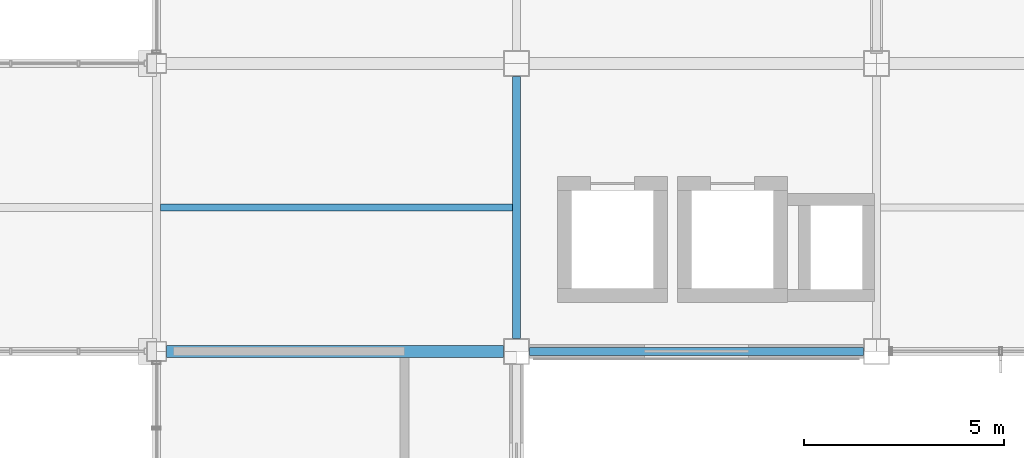
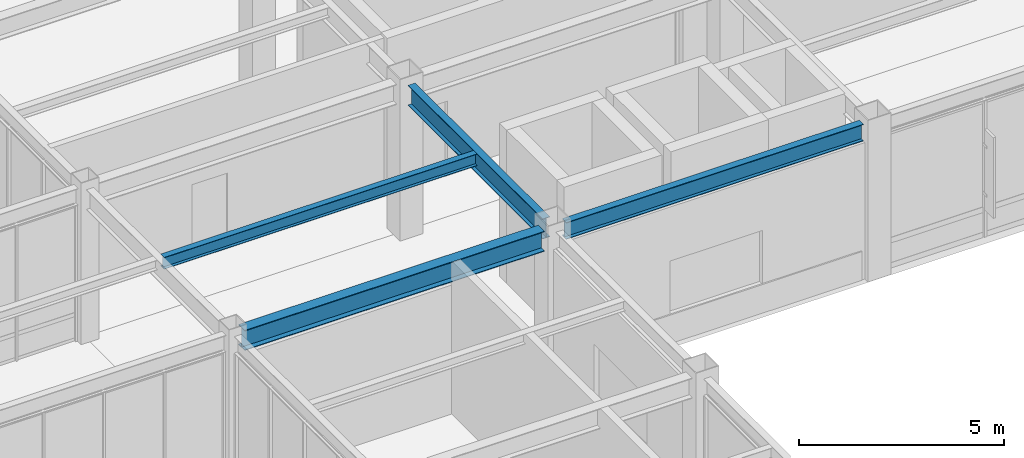
# One storey, part 51 of 112: 4 beams.
"""IFC4 building model written with IfcOpenShell, lengths in metres."""

from ifc_helpers import new_model, si_unit, direction, frame, origin, origin_2d, place, context, subcontext, project, spatial, i_section, extrude, material, material_profile, profile_set, type_object, element, save


model = new_model("IFC4")

# Units and contexts
model_context = context("Model", 3, precision=1e-05, world=origin(), true_north=direction((0.0, 1.0)))
body_context = subcontext(model_context, "Body", "Model", "MODEL_VIEW")
ifc_project = project(units=[si_unit("LENGTHUNIT", "METRE"), si_unit("AREAUNIT", "SQUARE_METRE"), si_unit("VOLUMEUNIT", "CUBIC_METRE"), si_unit("PLANEANGLEUNIT", "RADIAN"), si_unit("MASSUNIT", "GRAM", prefix="KILO")], contexts=[model_context])

# Site, building, storey
site_placement = place(None, origin())
site = spatial("IfcSite", under=ifc_project, at=site_placement, CompositionType="ELEMENT")
building_placement = place(site_placement, origin())
building = spatial("IfcBuilding", under=site, at=building_placement, Name="Kazanami Central Library", CompositionType="ELEMENT")
storey_placement = place(building_placement, origin())
storey = spatial("IfcBuildingStorey", under=building, at=storey_placement, Name="L01", CompositionType="ELEMENT", Elevation=0.0)

# Beams
ifc_material_1 = material(Name="Steel SN400B (235 MPa)", Category="steel")
ifc_material_profile_1 = material_profile(ifc_material_1, i_section(OverallWidth=0.175048828125, OverallDepth=0.35009765625, WebThickness=0.007080078125, FlangeThickness=0.010986328125, at=origin_2d()), Name="H-350x175x7x11")
ifc_profile_set_1 = profile_set([ifc_material_profile_1], Name="Steel SN400B (235 MPa)")
beam_type_1 = type_object("IfcBeamType", Name="BM-B-S2", PredefinedType="JOIST", material=ifc_profile_set_1)
beam_1_placement = place(storey_placement, frame((45.097900390625, 68.39990234375, 4.3798828125), z_axis=(1.0, 0.0, 0.0), x_axis=(0.0, 1.0, 0.0)))
element("IfcBeam", 1, at=beam_1_placement, inside=storey, type_object=beam_type_1, Name="Composite Secondary Joist B-S2 L01 Bay 6/K.1", PredefinedType="JOIST", context=body_context, shape_type="SweptSolid", body=[
    extrude(i_section(OverallWidth=0.175048828125, OverallDepth=0.35009765625, WebThickness=0.007080078125, FlangeThickness=0.010986328125, at=origin_2d()), origin(), (0.0, 0.0, 1.0), 8.80419921875),
])
ifc_material_2 = material(Name="Steel SN490B (325 MPa)", Category="steel")
ifc_material_profile_2 = material_profile(ifc_material_2, i_section(OverallWidth=0.300048828125, OverallDepth=0.60009765625, WebThickness=0.011962890625, FlangeThickness=0.02001953125, at=origin_2d()), Name="H-600x300x12x20")
ifc_profile_set_2 = profile_set([ifc_material_profile_2], Name="Steel SN490B (325 MPa)")
beam_type_2 = type_object("IfcBeamType", Name="BM-G-X1", PredefinedType="BEAM", material=ifc_profile_set_2)
beam_2_placement = place(storey_placement, frame((45.248046875, 64.800048828125, 4.2548828125), z_axis=(1.0, 0.0, 0.0), x_axis=(0.0, 1.0, 0.0)))
element("IfcBeam", 2, at=beam_2_placement, inside=storey, type_object=beam_type_2, Name="Girder G-X1 L01 K/6-7", PredefinedType="BEAM", context=body_context, shape_type="SweptSolid", body=[
    extrude(i_section(OverallWidth=0.300048828125, OverallDepth=0.60009765625, WebThickness=0.011962890625, FlangeThickness=0.02001953125, at=origin_2d()), origin(), (0.0, 0.0, 1.0), 8.428955078125),
])
ifc_material_profile_3 = material_profile(ifc_material_2, i_section(OverallWidth=0.199951171875, OverallDepth=0.60009765625, WebThickness=0.010986328125, FlangeThickness=0.01708984375, at=origin_2d()), Name="H-600x200x11x17")
ifc_profile_set_3 = profile_set([ifc_material_profile_3], Name="Steel SN490B (325 MPa)")
beam_type_3 = type_object("IfcBeamType", Name="BM-G-Y1", PredefinedType="BEAM", material=ifc_profile_set_3)
beam_3_placement = place(storey_placement, frame((54.0, 65.123046875, 4.2548828125), z_axis=(0.0, 1.0, 0.0), x_axis=(-1.0, 0.0, 0.0)))
element("IfcBeam", 3, at=beam_3_placement, inside=storey, type_object=beam_type_3, Name="Girder G-Y1 L01 7/K-L", PredefinedType="BEAM", context=body_context, shape_type="SweptSolid", body=[
    extrude(i_section(OverallWidth=0.199951171875, OverallDepth=0.60009765625, WebThickness=0.010986328125, FlangeThickness=0.01708984375, at=origin_2d()), origin(), (0.0, 0.0, 1.0), 6.553955078125),
])
ifc_material_profile_4 = material_profile(ifc_material_2, i_section(OverallWidth=0.199951171875, OverallDepth=0.5, WebThickness=0.010009765625, FlangeThickness=0.01611328125, at=origin_2d()), Name="H-500x200x10x16")
ifc_profile_set_4 = profile_set([ifc_material_profile_4], Name="Steel SN490B (325 MPa)")
beam_type_4 = type_object("IfcBeamType", Name="BM-SP-1", PredefinedType="SPANDREL", material=ifc_profile_set_4)
beam_4_placement = place(storey_placement, frame((54.322998046875, 64.800048828125, 4.304931640625), z_axis=(1.0, 0.0, 0.0), x_axis=(0.0, 1.0, 0.0)))
element("IfcBeam", 4, at=beam_4_placement, inside=storey, type_object=beam_type_4, Name="Girder SP-1 L01 K/7-8", PredefinedType="SPANDREL", context=body_context, shape_type="SweptSolid", body=[
    extrude(i_section(OverallWidth=0.199951171875, OverallDepth=0.5, WebThickness=0.010009765625, FlangeThickness=0.01611328125, at=origin_2d()), origin(), (0.0, 0.0, 1.0), 8.35400390625),
])

save(model, "model.ifc")
